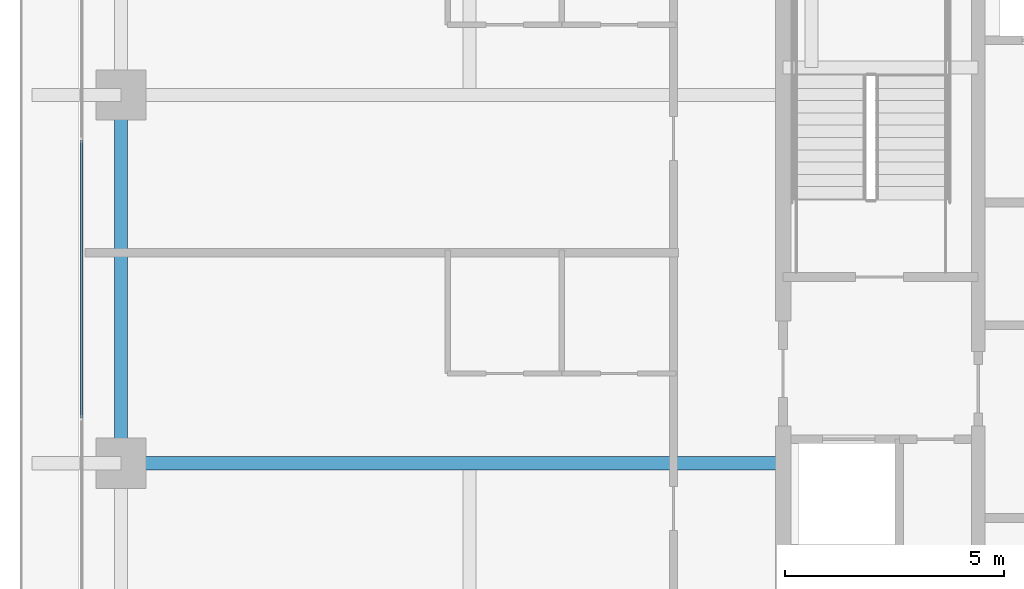
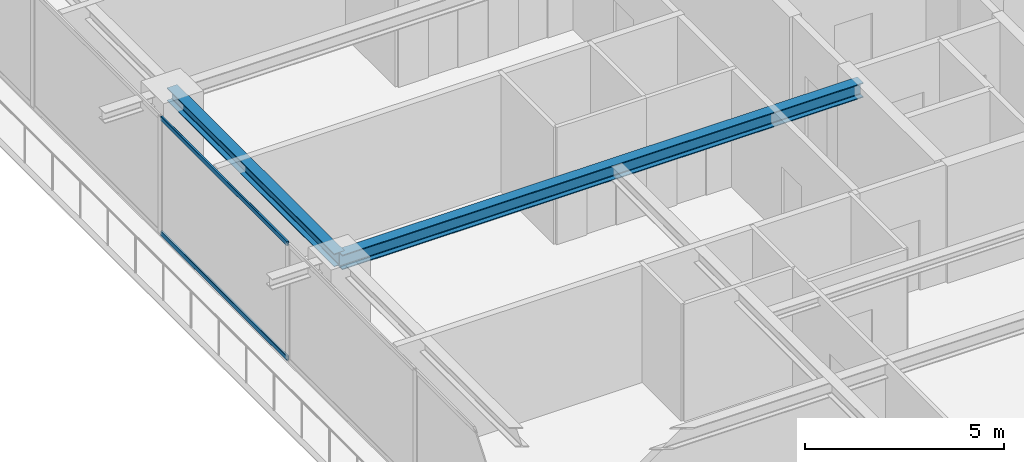
# One storey, part 8 of 38: 2 beams, 2 members, 1 element without a shape of its own.
"""IFC4 building model written with IfcOpenShell, lengths in metres."""

from ifc_helpers import new_model, si_unit, direction, frame, origin, origin_2d, place, context, subcontext, project, spatial, hollow_rectangle, i_section, extrude, source, transform, mapped, material, layer, layer_set, material_profile, profile_set, type_object, element, aggregate, save


model = new_model("IFC4")

# Units and contexts
model_context = context("Model", 3, precision=1e-05, world=origin(), true_north=direction((0.0, 1.0)))
body_context = subcontext(model_context, "Body", "Model", "MODEL_VIEW")
ifc_project = project(units=[si_unit("LENGTHUNIT", "METRE"), si_unit("AREAUNIT", "SQUARE_METRE"), si_unit("VOLUMEUNIT", "CUBIC_METRE"), si_unit("PLANEANGLEUNIT", "RADIAN"), si_unit("MASSUNIT", "GRAM", prefix="KILO")], contexts=[model_context])

# Site, building, storey
site_placement = place(None, origin())
site = spatial("IfcSite", under=ifc_project, at=site_placement, CompositionType="ELEMENT")
building_placement = place(site_placement, origin())
building = spatial("IfcBuilding", under=site, at=building_placement, Name="Serunith Strait Residences", CompositionType="ELEMENT")
storey_placement = place(building_placement, frame((0.0, 0.0, 245.10009765625)))
storey = spatial("IfcBuildingStorey", under=building, at=storey_placement, Name="L61", CompositionType="ELEMENT", Elevation=245.10009765625)

# Beams
ifc_material_1 = material(Name="Steel S355J2", Category="steel")
ifc_material_profile_1 = material_profile(ifc_material_1, i_section(OverallWidth=0.300048828125, OverallDepth=0.449951171875, WebThickness=0.013916015625, FlangeThickness=0.02587890625, FilletRadius=0.027099609375, at=origin_2d()), Name="HEB 450")
ifc_profile_set_1 = profile_set([ifc_material_profile_1], Name="Steel S355J2")
beam_type_1 = type_object("IfcBeamType", Name="BM-HEB450", PredefinedType="BEAM", material=ifc_profile_set_1)
shared_shape_1 = source(origin(), body_context, "Body", "SweptSolid", [
    extrude(i_section(OverallWidth=0.300048828125, OverallDepth=0.449951171875, WebThickness=0.013916015625, FlangeThickness=0.02587890625, FilletRadius=0.027099609375, at=origin_2d()), origin(), (0.0, 0.0, 1.0), 15.099853515625),
])
beam_1_placement = place(storey_placement, frame((23.39990234375, 21.0, 3.36181640625), z_axis=(-1.0, 0.0, 0.0), x_axis=(0.0, -1.0, 0.0)))
element("IfcBeam", 1, at=beam_1_placement, inside=storey, type_object=beam_type_1, Name="L61 Primary Floor Girder TC-W2", PredefinedType="BEAM", context=body_context, shape_type="MappedRepresentation", body=[
    mapped(shared_shape_1, transform((0.0, 0.0, 0.0), scale=1.0)),
])
ifc_material_profile_2 = material_profile(ifc_material_1, i_section(OverallWidth=0.300048828125, OverallDepth=0.39990234375, WebThickness=0.013427734375, FlangeThickness=0.02392578125, FilletRadius=0.027099609375, at=origin_2d()), Name="HEB 400")
ifc_profile_set_2 = profile_set([ifc_material_profile_2], Name="Steel S355J2")
beam_type_2 = type_object("IfcBeamType", Name="BM-HEB400", PredefinedType="BEAM", material=ifc_profile_set_2)
shared_shape_2 = source(origin(), body_context, "Body", "SweptSolid", [
    extrude(i_section(OverallWidth=0.300048828125, OverallDepth=0.39990234375, WebThickness=0.013427734375, FlangeThickness=0.02392578125, FilletRadius=0.027099609375, at=origin_2d()), origin(), (0.0, 0.0, 1.0), 8.39990234375),
])
beam_2_placement = place(storey_placement, frame((8.300048828125, 29.39990234375, 3.386962890625), z_axis=(0.0, -1.0, 0.0), x_axis=(1.0, 0.0, 0.0)))
element("IfcBeam", 2, at=beam_2_placement, inside=storey, type_object=beam_type_2, Name="L61 Perimeter Ring Beam 14", PredefinedType="BEAM", context=body_context, shape_type="MappedRepresentation", body=[
    mapped(shared_shape_2, transform((0.0, 0.0, 0.0), scale=1.0)),
])

# Curtain wall, members
ifc_material_2 = material(Name="Pale-Champagne Anodised Aluminium", Category="aluminium")
ifc_layer = layer(ifc_material_2, 0.199951171875, Name="Pale-Champagne Anodised Aluminium")
ifc_layer_set = layer_set([ifc_layer], Name="Pale-Champagne Anodised Aluminium")
curtain_wall_type = type_object("IfcCurtainWallType", Name="CW-SYS4", PredefinedType="NOTDEFINED", material=ifc_layer_set)
curtain_wall_placement = place(storey_placement, origin())
curtain_wall = element("IfcCurtainWall", 3, at=curtain_wall_placement, inside=storey, type_object=curtain_wall_type, Name="L61 W Unitised Fritted Curtain Wall", PredefinedType="NOTDEFINED")
ifc_material_profile_3 = material_profile(ifc_material_2, hollow_rectangle(XDim=0.06005859375, YDim=0.139892578125, WallThickness=0.00341796875, InnerFilletRadius=0.00537109375, OuterFilletRadius=0.0087890625, at=origin_2d()), Name="ALU 140x60x3.5")
ifc_profile_set_3 = profile_set([ifc_material_profile_3], Name="Pale-Champagne Anodised Aluminium")
member_type = type_object("IfcMemberType", Name="CW-SYS4-TRAN", PredefinedType="USERDEFINED", material=ifc_profile_set_3)
shared_shape_3 = source(origin(), body_context, "Body", "SweptSolid", [
    extrude(hollow_rectangle(XDim=0.06005859375, YDim=0.139892578125, WallThickness=0.00341796875, InnerFilletRadius=0.00537109375, OuterFilletRadius=0.0087890625, at=origin_2d()), origin(), (0.0, 0.0, 1.0), 6.3349609375),
])
member_1_placement = place(storey_placement, frame((7.39990234375, 28.367431640625, 0.02978515625), z_axis=(0.0, -1.0, 0.0), x_axis=(1.0, 0.0, 0.0)))
member_1 = element("IfcMember", 4, at=member_1_placement, type_object=member_type, Name="CW-4 transom 3.1", ObjectType="TRANSOM", PredefinedType="USERDEFINED", context=body_context, shape_type="MappedRepresentation", body=[
    mapped(shared_shape_3, transform((0.0, 0.0, 0.0), scale=1.0)),
])
member_2_placement = place(storey_placement, frame((7.39990234375, 28.367431640625, 3.544921875), z_axis=(0.0, -1.0, 0.0), x_axis=(1.0, 0.0, 0.0)))
member_2 = element("IfcMember", 5, at=member_2_placement, type_object=member_type, Name="CW-4 transom 3.2", ObjectType="TRANSOM", PredefinedType="USERDEFINED", context=body_context, shape_type="MappedRepresentation", body=[
    mapped(shared_shape_3, transform((0.0, 0.0, 0.0), scale=1.0)),
])
aggregate(curtain_wall, [member_1, member_2])

save(model, "model.ifc")
